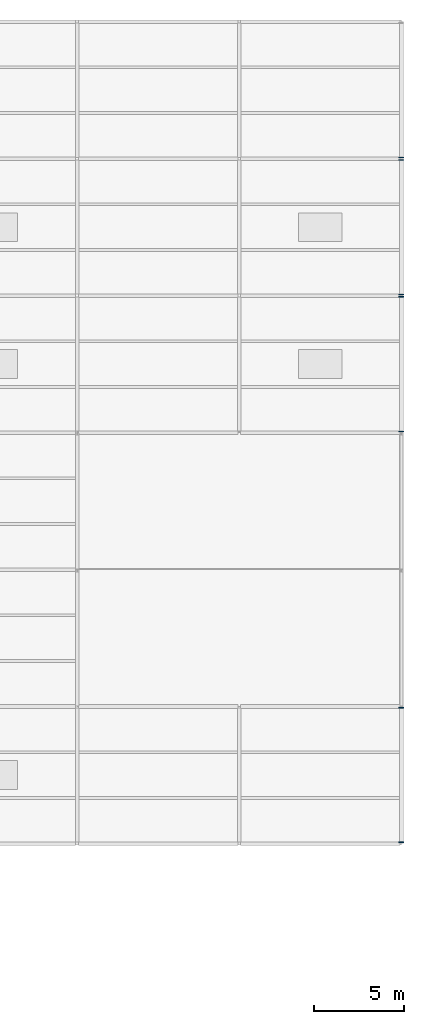
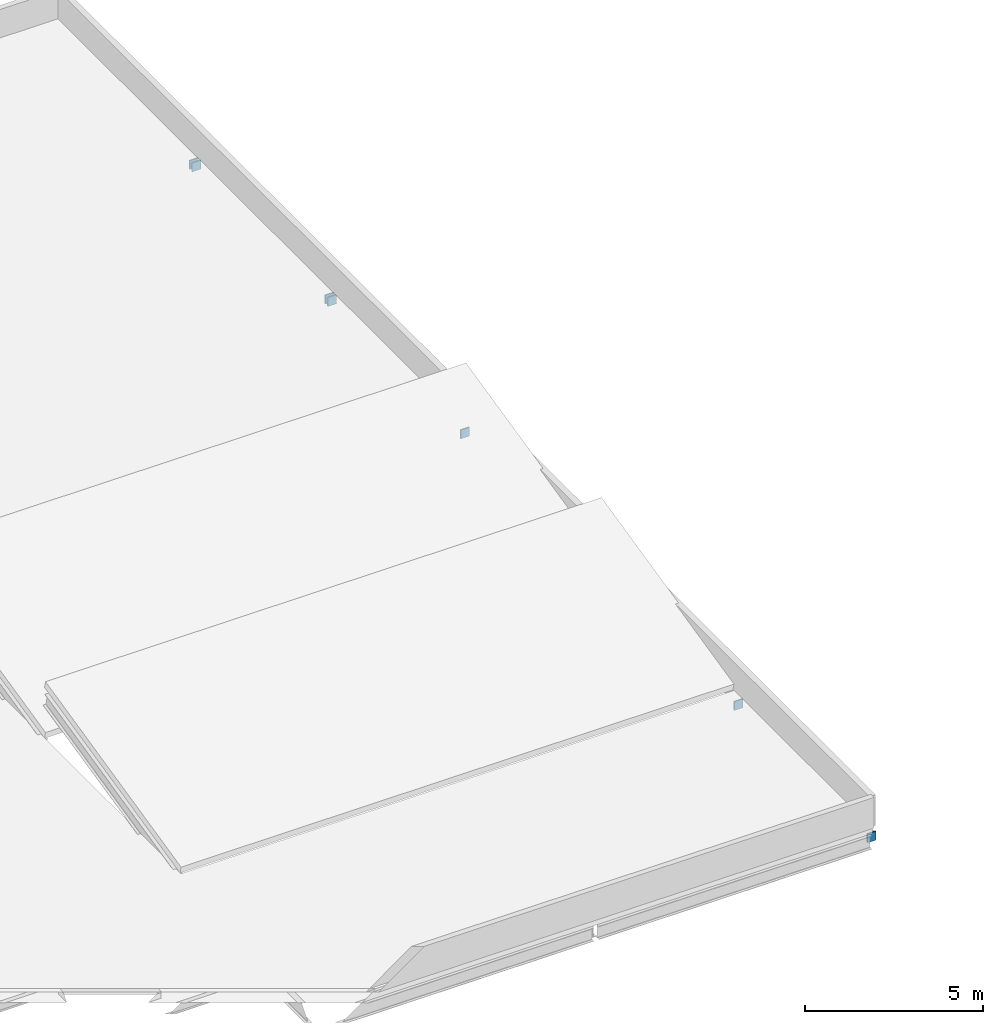
# One storey, part 18 of 24: 7 plates.
"""IFC4 building model written with IfcOpenShell, lengths in metres."""

from ifc_helpers import new_model, si_unit, direction, frame, origin, origin_2d, place, context, subcontext, project, spatial, rectangle, extrude, material, layer, layer_set, type_object, element, save


model = new_model("IFC4")

# Units and contexts
model_context = context("Model", 3, precision=1e-05, world=origin(), true_north=direction((0.0, 1.0)))
body_context = subcontext(model_context, "Body", "Model", "MODEL_VIEW")
ifc_project = project(units=[si_unit("LENGTHUNIT", "METRE"), si_unit("AREAUNIT", "SQUARE_METRE"), si_unit("VOLUMEUNIT", "CUBIC_METRE"), si_unit("PLANEANGLEUNIT", "RADIAN"), si_unit("MASSUNIT", "GRAM", prefix="KILO")], contexts=[model_context])

# Site, building, storey
site_placement = place(None, origin())
site = spatial("IfcSite", under=ifc_project, at=site_placement, CompositionType="ELEMENT")
building_placement = place(site_placement, origin())
building = spatial("IfcBuilding", under=site, at=building_placement, Name="Caisbarro Railhouse Central Library", CompositionType="ELEMENT")
storey_placement = place(building_placement, frame((0.0, 0.0, 22.320068359375)))
storey = spatial("IfcBuildingStorey", under=building, at=storey_placement, Name="L05", CompositionType="ELEMENT", Elevation=22.320068359375)

# Plates
ifc_material = material(Name="Steel ASTM A572 Grade 50", Category="steel")
ifc_layer = layer(ifc_material, 0.044921875, Name="Steel ASTM A572 Grade 50")
ifc_layer_set = layer_set([ifc_layer], Name="Steel ASTM A572 Grade 50")
plate_type = type_object("IfcPlateType", Name="PLT-EP01", PredefinedType="SHEET", material=ifc_layer_set)
for number, where, z_axis, x_axis, name in (
    (1, (144.0, 68.468017578125, -0.5400390625), (0.0, 0.0, 1.0), (0.0, 1.0, 0.0), "EP01 end cap plate"),
    (2, (144.0, 75.931884765625, -0.5400390625), (0.0, 0.0, 1.0), (0.0, 1.0, 0.0), "EP01 end cap plate"),
    (3, (144.0, 91.26806640625, -0.5400390625), (0.0, 0.0, 1.0), (0.0, 1.0, 0.0), "EP01 end cap plate"),
    (4, (144.0, 98.73193359375, -0.5400390625), (0.0, 0.0, 1.0), (0.0, 1.0, 0.0), "EP01 end cap plate"),
    (5, (144.0, 98.867919921875, -0.5400390625), (0.0, 0.0, 1.0), (0.0, 1.0, 0.0), "EP01 end cap plate"),
    (6, (144.0, 106.33203125, -0.5400390625), (0.0, 0.0, 1.0), (0.0, 1.0, 0.0), "EP01 end cap plate"),
    (7, (144.0, 106.468017578125, -0.5400390625), (0.0, 0.0, 1.0), (0.0, 1.0, 0.0), "EP01 end cap plate"),
):
    element("IfcPlate", number, at=place(storey_placement, frame(where, z_axis=z_axis, x_axis=x_axis)), inside=storey, type_object=plate_type, Name=name, PredefinedType="SHEET", context=body_context, shape_type="SweptSolid", body=[
        extrude(rectangle(XDim=0.044921875, YDim=0.280029296875, at=origin_2d()), origin(), (0.0, 0.0, 1.0), 0.300048828125),
    ])

save(model, "model.ifc")
